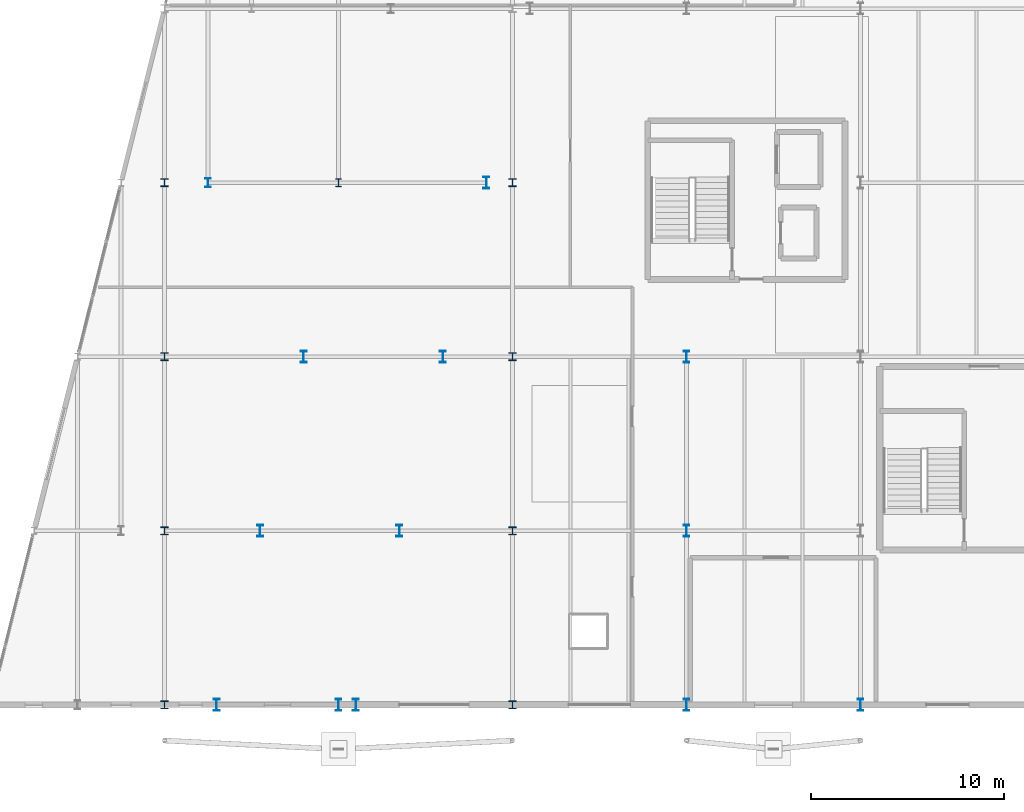
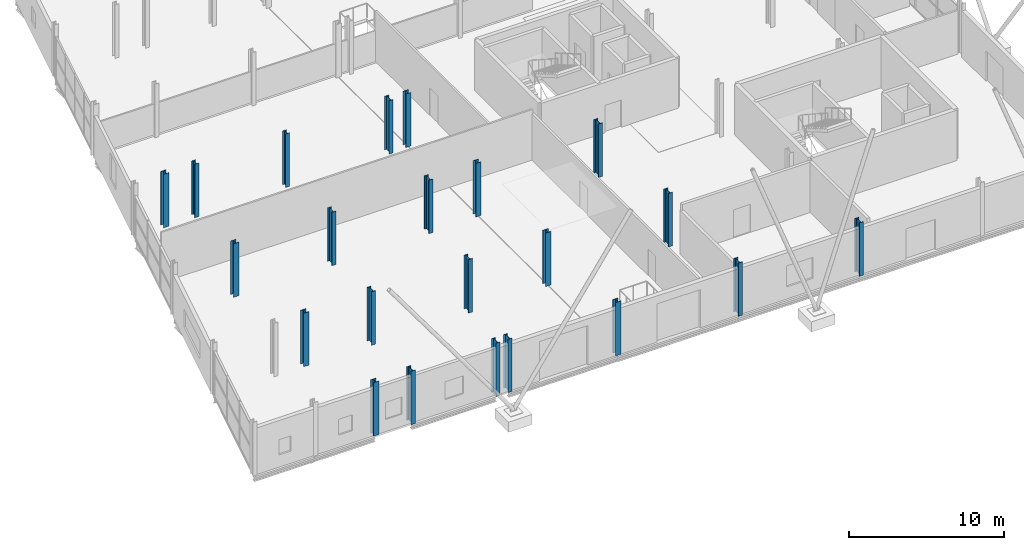
# One storey, part 16 of 140: 22 columns.
"""IFC4 building model written with IfcOpenShell, lengths in metres."""

from ifc_helpers import new_model, si_unit, direction, frame, origin, origin_2d, place, context, subcontext, project, spatial, i_section, extrude, material, material_profile, profile_set, type_object, element, save


model = new_model("IFC4")

# Units and contexts
model_context = context("Model", 3, precision=1e-05, world=origin(), true_north=direction((0.0, 1.0)))
body_context = subcontext(model_context, "Body", "Model", "MODEL_VIEW")
ifc_project = project(units=[si_unit("LENGTHUNIT", "METRE"), si_unit("AREAUNIT", "SQUARE_METRE"), si_unit("VOLUMEUNIT", "CUBIC_METRE"), si_unit("PLANEANGLEUNIT", "RADIAN"), si_unit("MASSUNIT", "GRAM", prefix="KILO")], contexts=[model_context])

# Site, building, storey
site_placement = place(None, origin())
site = spatial("IfcSite", under=ifc_project, at=site_placement, CompositionType="ELEMENT")
building_placement = place(site_placement, origin())
building = spatial("IfcBuilding", under=site, at=building_placement, Name="Deido Ridge Mobility Hub", CompositionType="ELEMENT")
storey_placement = place(building_placement, origin())
storey = spatial("IfcBuildingStorey", under=building, at=storey_placement, Name="L00", CompositionType="ELEMENT", Elevation=0.0)

# Columns
ifc_material = material(Name="Steel S355J2 EN 10025-2", Category="steel")
ifc_material_profile_1 = material_profile(ifc_material, i_section(OverallWidth=0.39892578125, OverallDepth=0.39306640625, WebThickness=0.017578125, FlangeThickness=0.028076171875, FilletRadius=0.014892578125, at=origin_2d()), Name="HD 400x287")
ifc_profile_set_1 = profile_set([ifc_material_profile_1], Name="Steel S355J2 EN 10025-2")
column_type_1 = type_object("IfcColumnType", Name="COL-HD400-287", PredefinedType="COLUMN", material=ifc_profile_set_1)
for number, where, z_axis, x_axis, name in (
    (1, (126.0, 0.0, 0.0), (0.0, 0.0, 1.0), (1.0, 0.0, 0.0), "Structural column C2"),
    (2, (144.0, 0.0, 0.0), (0.0, 0.0, 1.0), (1.0, 0.0, 0.0), "Structural column C2"),
    (3, (126.0, 9.0, 0.0), (0.0, 0.0, 1.0), (1.0, 0.0, 0.0), "Structural column C2"),
    (4, (144.0, 9.0, 0.0), (0.0, 0.0, 1.0), (1.0, 0.0, 0.0), "Structural column C2"),
    (5, (126.0, 18.0, 0.0), (0.0, 0.0, 1.0), (1.0, 0.0, 0.0), "Structural column C2"),
    (6, (144.0, 18.0, 0.0), (0.0, 0.0, 1.0), (1.0, 0.0, 0.0), "Structural column C2"),
    (7, (126.0, 27.0, 0.0), (0.0, 0.0, 1.0), (1.0, 0.0, 0.0), "Structural column C2"),
    (8, (144.0, 27.0, 0.0), (0.0, 0.0, 1.0), (1.0, 0.0, 0.0), "Structural column C2"),
):
    element("IfcColumn", number, at=place(storey_placement, frame(where, z_axis=z_axis, x_axis=x_axis)), inside=storey, type_object=column_type_1, Name=name, PredefinedType="COLUMN", context=body_context, shape_type="SweptSolid", body=[
        extrude(i_section(OverallWidth=0.39892578125, OverallDepth=0.39306640625, WebThickness=0.017578125, FlangeThickness=0.028076171875, FilletRadius=0.014892578125, at=origin_2d()), origin(), (0.0, 0.0, 1.0), 4.199951171875),
    ])
ifc_material_profile_2 = material_profile(ifc_material, i_section(OverallWidth=0.300048828125, OverallDepth=0.39990234375, WebThickness=0.013427734375, FlangeThickness=0.02392578125, FilletRadius=0.027099609375, at=origin_2d()), Name="HEB 400")
ifc_profile_set_2 = profile_set([ifc_material_profile_2], Name="Steel S355J2 EN 10025-2")
column_type_2 = type_object("IfcColumnType", Name="COL-HEB400", PredefinedType="COLUMN", material=ifc_profile_set_2)
column_1_placement = place(storey_placement, frame((135.0, 27.0, 0.0), z_axis=(0.0, 0.0, 1.0), x_axis=(1.0, 0.0, 0.0)))
element("IfcColumn", 9, at=column_1_placement, inside=storey, type_object=column_type_2, Name="Structural column C7", PredefinedType="COLUMN", context=body_context, shape_type="SweptSolid", body=[
    extrude(i_section(OverallWidth=0.300048828125, OverallDepth=0.39990234375, WebThickness=0.013427734375, FlangeThickness=0.02392578125, FilletRadius=0.027099609375, at=origin_2d()), origin(), (0.0, 0.0, 1.0), 4.199951171875),
])
ifc_material_profile_3 = material_profile(ifc_material, i_section(OverallWidth=0.300048828125, OverallDepth=0.449951171875, WebThickness=0.013916015625, FlangeThickness=0.02587890625, FilletRadius=0.027099609375, at=origin_2d()), Name="HEB 450")
ifc_profile_set_3 = profile_set([ifc_material_profile_3], Name="Steel S355J2 EN 10025-2")
column_type_3 = type_object("IfcColumnType", Name="COL-HEB450", PredefinedType="COLUMN", material=ifc_profile_set_3)
column_2_placement = place(storey_placement, frame((128.25, 27.0, 0.0), z_axis=(0.0, 0.0, 1.0), x_axis=(1.0, 0.0, 0.0)))
element("IfcColumn", 10, at=column_2_placement, inside=storey, type_object=column_type_3, Name="Structural column C6", PredefinedType="COLUMN", context=body_context, shape_type="SweptSolid", body=[
    extrude(i_section(OverallWidth=0.300048828125, OverallDepth=0.449951171875, WebThickness=0.013916015625, FlangeThickness=0.02587890625, FilletRadius=0.027099609375, at=origin_2d()), origin(), (0.0, 0.0, 1.0), 4.199951171875),
])
ifc_material_profile_4 = material_profile(ifc_material, i_section(OverallWidth=0.300048828125, OverallDepth=0.60009765625, WebThickness=0.015380859375, FlangeThickness=0.030029296875, FilletRadius=0.027099609375, at=origin_2d()), Name="HEB 600")
ifc_profile_set_4 = profile_set([ifc_material_profile_4], Name="Steel S355J2 EN 10025-2")
column_type_4 = type_object("IfcColumnType", Name="COL-HEB600", PredefinedType="COLUMN", material=ifc_profile_set_4)
for number, where, z_axis, x_axis, name in (
    (11, (128.699951171875, 0.0, 0.0), (0.0, 0.0, 1.0), (1.0, 0.0, 0.0), "Structural column C4"),
    (12, (135.0, 0.0, 0.0), (0.0, 0.0, 1.0), (1.0, 0.0, 0.0), "Structural column C4"),
    (13, (135.89990234375, 0.0, 0.0), (0.0, 0.0, 1.0), (1.0, 0.0, 0.0), "Structural column C4"),
    (14, (153.0, 0.0, 0.0), (0.0, 0.0, 1.0), (1.0, 0.0, 0.0), "Structural column C4"),
    (15, (162.0, 0.0, 0.0), (0.0, 0.0, 1.0), (1.0, 0.0, 0.0), "Structural column C4"),
    (16, (130.949951171875, 9.0, 0.0), (0.0, 0.0, 1.0), (1.0, 0.0, 0.0), "Structural column C4"),
    (17, (138.14990234375, 9.0, 0.0), (0.0, 0.0, 1.0), (1.0, 0.0, 0.0), "Structural column C4"),
    (18, (153.0, 9.0, 0.0), (0.0, 0.0, 1.0), (1.0, 0.0, 0.0), "Structural column C4"),
    (19, (133.199951171875, 18.0, 0.0), (0.0, 0.0, 1.0), (1.0, 0.0, 0.0), "Structural column C4"),
    (20, (140.39990234375, 18.0, 0.0), (0.0, 0.0, 1.0), (1.0, 0.0, 0.0), "Structural column C4"),
    (21, (153.0, 18.0, 0.0), (0.0, 0.0, 1.0), (1.0, 0.0, 0.0), "Structural column C4"),
    (22, (142.64990234375, 27.0, 0.0), (0.0, 0.0, 1.0), (1.0, 0.0, 0.0), "Structural column C4"),
):
    element("IfcColumn", number, at=place(storey_placement, frame(where, z_axis=z_axis, x_axis=x_axis)), inside=storey, type_object=column_type_4, Name=name, PredefinedType="COLUMN", context=body_context, shape_type="SweptSolid", body=[
        extrude(i_section(OverallWidth=0.300048828125, OverallDepth=0.60009765625, WebThickness=0.015380859375, FlangeThickness=0.030029296875, FilletRadius=0.027099609375, at=origin_2d()), origin(), (0.0, 0.0, 1.0), 4.199951171875),
    ])

save(model, "model.ifc")
